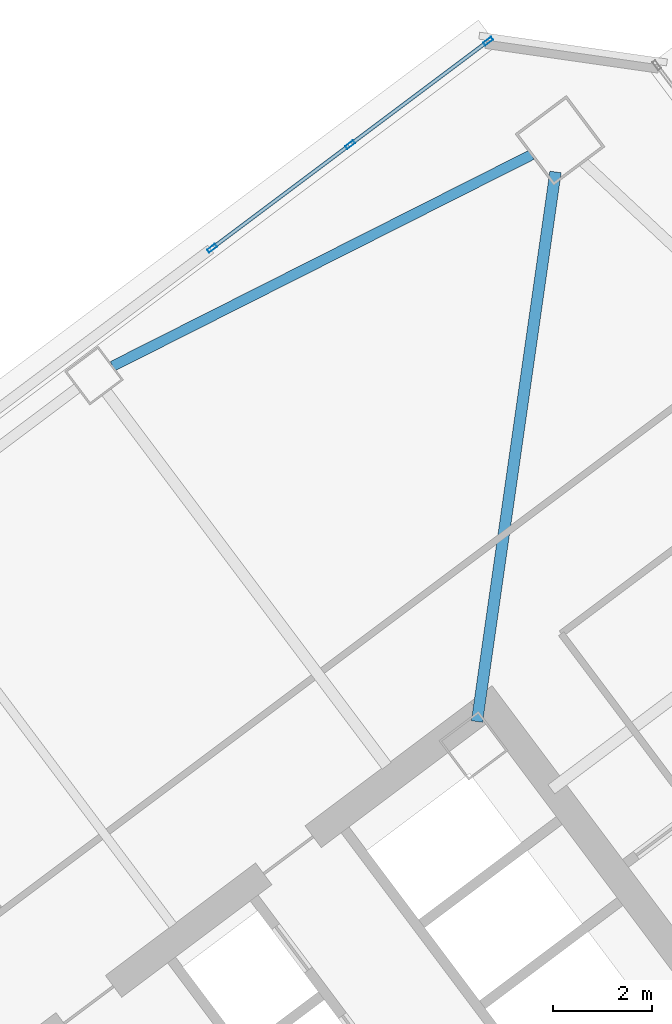
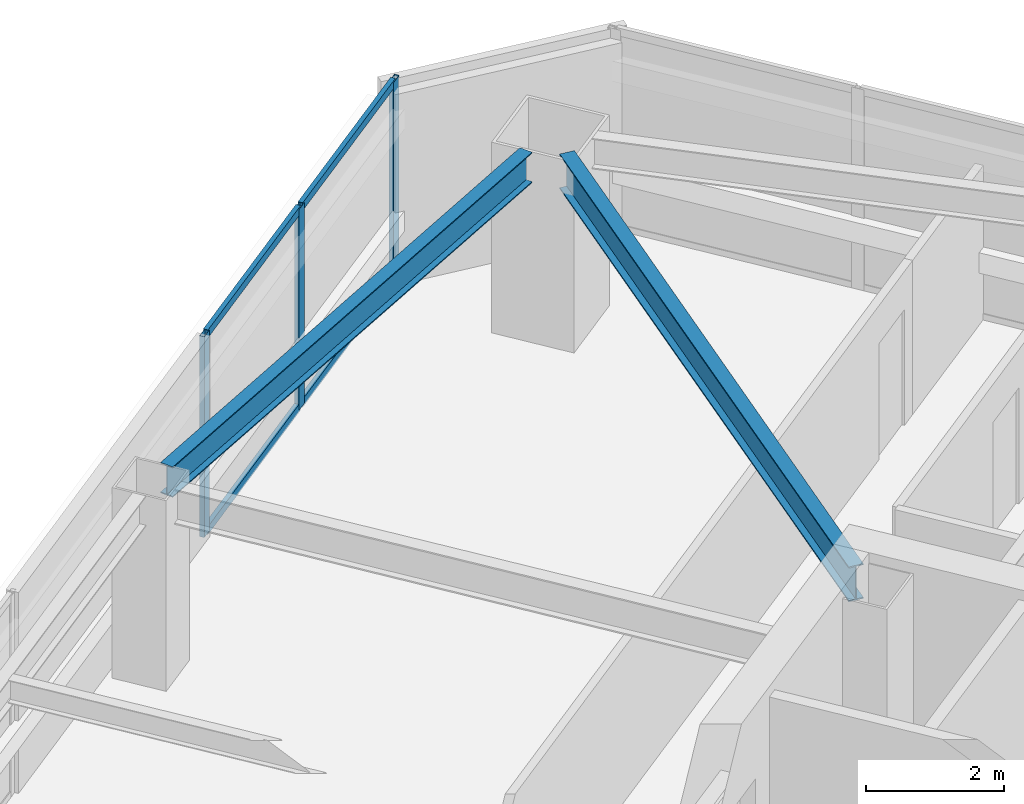
# One storey, part 29 of 44: 7 members, 2 beams, 1 element without a shape of its own.
"""IFC4 building model written with IfcOpenShell, lengths in metres."""

from ifc_helpers import new_model, si_unit, direction, frame, origin, origin_2d, place, context, subcontext, project, spatial, hollow_rectangle, i_section, extrude, material, material_profile, profile_set, type_object, element, aggregate, save


model = new_model("IFC4")

# Units and contexts
model_context = context("Model", 3, precision=1e-05, world=origin(), true_north=direction((0.0, 1.0)))
body_context = subcontext(model_context, "Body", "Model", "MODEL_VIEW")
ifc_project = project(units=[si_unit("LENGTHUNIT", "METRE"), si_unit("AREAUNIT", "SQUARE_METRE"), si_unit("VOLUMEUNIT", "CUBIC_METRE"), si_unit("PLANEANGLEUNIT", "RADIAN"), si_unit("MASSUNIT", "GRAM", prefix="KILO")], contexts=[model_context])

# Site, building, storey
site_placement = place(None, origin())
site = spatial("IfcSite", under=ifc_project, at=site_placement, CompositionType="ELEMENT")
building_placement = place(site_placement, origin())
building = spatial("IfcBuilding", under=site, at=building_placement, Name="Tashvorn Skyway Center", CompositionType="ELEMENT")
storey_placement = place(building_placement, frame((0.0, 0.0, 128.60009765625)))
storey = spatial("IfcBuildingStorey", under=building, at=storey_placement, Name="L34", CompositionType="ELEMENT", Elevation=128.60009765625)

# Beams
ifc_material_1 = material(Name="Steel ASTM A992 Grade 50", Category="steel")
ifc_material_profile_1 = material_profile(ifc_material_1, i_section(OverallWidth=0.22998046875, OverallDepth=0.616943359375, WebThickness=0.01318359375, FlangeThickness=0.022216796875, at=origin_2d()), Name="W24X94")
ifc_profile_set_1 = profile_set([ifc_material_profile_1], Name="Steel ASTM A992 Grade 50")
beam_type_1 = type_object("IfcBeamType", Name="BM-BEAM-W24X94", PredefinedType="BEAM", material=ifc_profile_set_1)
beam_1_placement = place(storey_placement, frame((117.06884765625, 53.4814453125, 3.0615234375), z_axis=(-0.141430483583, -0.989948189712, 0.0), x_axis=(0.989948189712, -0.141430483583, 0.0)))
element("IfcBeam", 1, at=beam_1_placement, inside=storey, type_object=beam_type_1, Name="Tower 2 L34 Primary Floor Girder MC-NE", PredefinedType="BEAM", context=body_context, shape_type="SweptSolid", body=[
    extrude(i_section(OverallWidth=0.22998046875, OverallDepth=0.616943359375, WebThickness=0.01318359375, FlangeThickness=0.022216796875, at=origin_2d()), origin(), (0.0, 0.0, 1.0), 11.234375),
])
ifc_material_profile_2 = material_profile(ifc_material_1, i_section(OverallWidth=0.2109375, OverallDepth=0.5390625, WebThickness=0.01171875, FlangeThickness=0.018798828125, at=origin_2d()), Name="W21X73")
ifc_profile_set_2 = profile_set([ifc_material_profile_2], Name="Steel ASTM A992 Grade 50")
beam_type_2 = type_object("IfcBeamType", Name="BM-SPANDREL-W21X73", PredefinedType="SPANDREL", material=ifc_profile_set_2)
beam_2_placement = place(storey_placement, frame((116.584228515625, 53.829345703125, 3.100341796875), z_axis=(-0.892719124217, -0.450613543136, 0.0), x_axis=(0.450613543136, -0.892719124217, 0.0)))
element("IfcBeam", 2, at=beam_2_placement, inside=storey, type_object=beam_type_2, Name="Tower 2 L34 Spandrel Beam 07", PredefinedType="SPANDREL", context=body_context, shape_type="SweptSolid", body=[
    extrude(i_section(OverallWidth=0.2109375, OverallDepth=0.5390625, WebThickness=0.01171875, FlangeThickness=0.018798828125, at=origin_2d()), origin(), (0.0, 0.0, 1.0), 9.498291015625),
])

# Curtain wall, members
ifc_material_2 = material(Name="Thermally broken bronze-anodized aluminium 6063-T6", Category="aluminium")
curtain_wall_type = type_object("IfcCurtainWallType", Name="CW-CW-Z3", PredefinedType="NOTDEFINED", material=ifc_material_2)
curtain_wall_placement = place(storey_placement, origin())
curtain_wall = element("IfcCurtainWall", 3, at=curtain_wall_placement, inside=storey, type_object=curtain_wall_type, Name="Tower 2 L34 North Unitised Curtain Wall Glazing Group 3", PredefinedType="NOTDEFINED")
ifc_material_profile_3 = material_profile(ifc_material_2, hollow_rectangle(XDim=0.074951171875, YDim=0.199951171875, WallThickness=0.00439453125, at=origin_2d()), Name="ALU-MULL-75x200")
ifc_profile_set_3 = profile_set([ifc_material_profile_3], Name="Thermally broken bronze-anodized aluminium 6063-T6")
member_type_1 = type_object("IfcMemberType", Name="CWM-CW-Z3", PredefinedType="MULLION", material=ifc_profile_set_3)
member_1_placement = place(storey_placement, frame((110.119873046875, 51.939697265625, 0.0), z_axis=(0.0, 0.0, 1.0), x_axis=(-0.600004533995, 0.799996599484, 0.0)))
member_1 = element("IfcMember", 4, at=member_1_placement, type_object=member_type_1, Name="CW-Z3 mullion 1", PredefinedType="MULLION", context=body_context, shape_type="SweptSolid", body=[
    extrude(hollow_rectangle(XDim=0.074951171875, YDim=0.199951171875, WallThickness=0.00439453125, at=origin_2d()), origin(), (0.0, 0.0, 1.0), 3.5498046875),
])
member_2_placement = place(storey_placement, frame((112.912841796875, 54.03466796875, 0.0), z_axis=(0.0, 0.0, 1.0), x_axis=(-0.600004533995, 0.799996599484, 0.0)))
member_2 = element("IfcMember", 5, at=member_2_placement, type_object=member_type_1, Name="CW-Z3 mullion 2", PredefinedType="MULLION", context=body_context, shape_type="SweptSolid", body=[
    extrude(hollow_rectangle(XDim=0.074951171875, YDim=0.199951171875, WallThickness=0.00439453125, at=origin_2d()), origin(), (0.0, 0.0, 1.0), 3.5498046875),
])
member_3_placement = place(storey_placement, frame((115.7060546875, 56.12939453125, 0.0), z_axis=(0.0, 0.0, 1.0), x_axis=(-0.600004533995, 0.799996599484, 0.0)))
member_3 = element("IfcMember", 6, at=member_3_placement, type_object=member_type_1, Name="CW-Z3 mullion 3", PredefinedType="MULLION", context=body_context, shape_type="SweptSolid", body=[
    extrude(hollow_rectangle(XDim=0.074951171875, YDim=0.199951171875, WallThickness=0.00439453125, at=origin_2d()), origin(), (0.0, 0.0, 1.0), 3.5498046875),
])
ifc_material_profile_4 = material_profile(ifc_material_2, hollow_rectangle(XDim=0.074951171875, YDim=0.139892578125, WallThickness=0.004150390625, at=origin_2d()), Name="ALU-TRAN-75x140")
ifc_profile_set_4 = profile_set([ifc_material_profile_4], Name="Thermally broken bronze-anodized aluminium 6063-T6")
member_type_2 = type_object("IfcMemberType", Name="CWT-CW-Z3", PredefinedType="USERDEFINED", material=ifc_profile_set_4)
member_4_placement = place(storey_placement, frame((110.14990234375, 51.96240234375, 0.037353515625), z_axis=(0.799982847995, 0.600022868659, 0.0), x_axis=(-0.600022868659, 0.799982847995, 0.0)))
member_4 = element("IfcMember", 7, at=member_4_placement, type_object=member_type_2, Name="CW-Z3 transom 1.1", ObjectType="TRANSOM", PredefinedType="USERDEFINED", context=body_context, shape_type="SweptSolid", body=[
    extrude(hollow_rectangle(XDim=0.074951171875, YDim=0.139892578125, WallThickness=0.004150390625, at=origin_2d()), origin(), (0.0, 0.0, 1.0), 3.416259765625),
])
member_5_placement = place(storey_placement, frame((110.14990234375, 51.96240234375, 3.512451171875), z_axis=(0.799982847995, 0.600022868659, 0.0), x_axis=(-0.600022868659, 0.799982847995, 0.0)))
member_5 = element("IfcMember", 8, at=member_5_placement, type_object=member_type_2, Name="CW-Z3 transom 1.2", ObjectType="TRANSOM", PredefinedType="USERDEFINED", context=body_context, shape_type="SweptSolid", body=[
    extrude(hollow_rectangle(XDim=0.074951171875, YDim=0.139892578125, WallThickness=0.004150390625, at=origin_2d()), origin(), (0.0, 0.0, 1.0), 3.416259765625),
])
member_6_placement = place(storey_placement, frame((112.94287109375, 54.05712890625, 0.037353515625), z_axis=(0.800008575267, 0.59998856614, 0.0), x_axis=(-0.59998856614, 0.800008575267, 0.0)))
member_6 = element("IfcMember", 9, at=member_6_placement, type_object=member_type_2, Name="CW-Z3 transom 2.1", ObjectType="TRANSOM", PredefinedType="USERDEFINED", context=body_context, shape_type="SweptSolid", body=[
    extrude(hollow_rectangle(XDim=0.074951171875, YDim=0.139892578125, WallThickness=0.004150390625, at=origin_2d()), origin(), (0.0, 0.0, 1.0), 3.41650390625),
])
member_7_placement = place(storey_placement, frame((112.94287109375, 54.05712890625, 3.512451171875), z_axis=(0.800008575267, 0.59998856614, 0.0), x_axis=(-0.59998856614, 0.800008575267, 0.0)))
member_7 = element("IfcMember", 10, at=member_7_placement, type_object=member_type_2, Name="CW-Z3 transom 2.2", ObjectType="TRANSOM", PredefinedType="USERDEFINED", context=body_context, shape_type="SweptSolid", body=[
    extrude(hollow_rectangle(XDim=0.074951171875, YDim=0.139892578125, WallThickness=0.004150390625, at=origin_2d()), origin(), (0.0, 0.0, 1.0), 3.41650390625),
])
aggregate(curtain_wall, [member_1, member_2, member_3, member_4, member_5, member_6, member_7])

save(model, "model.ifc")
